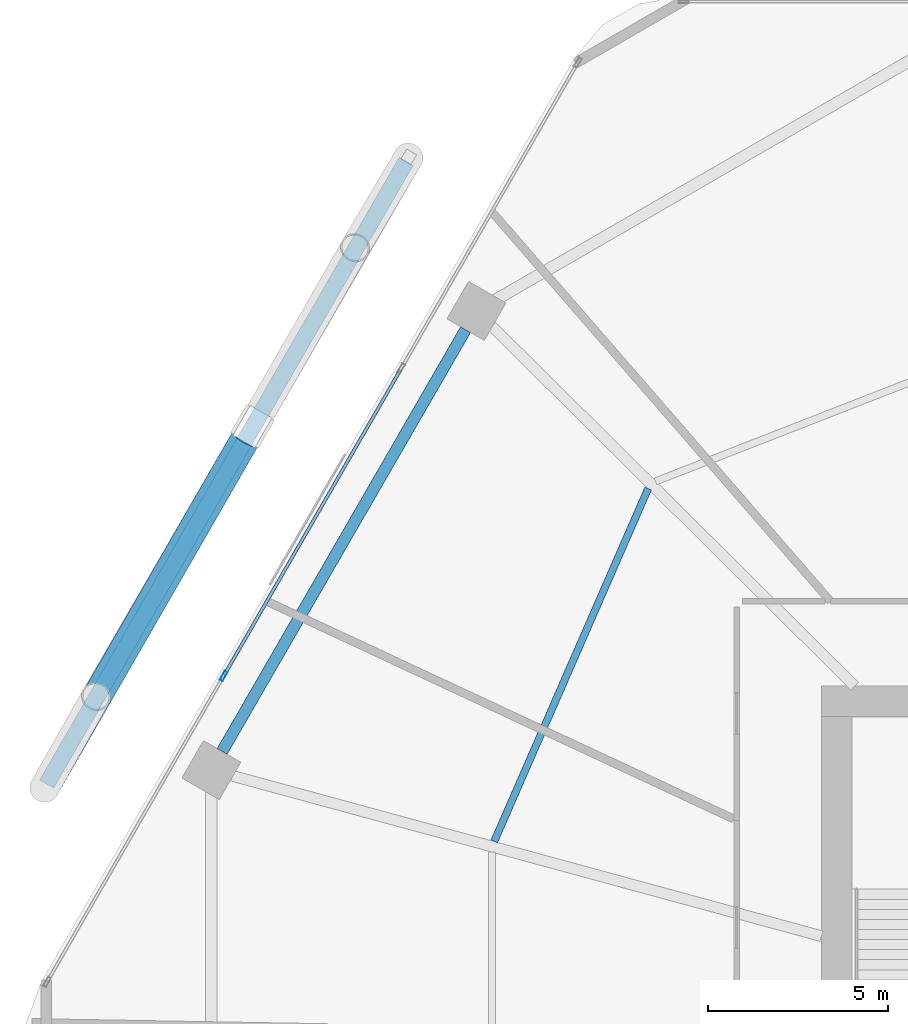
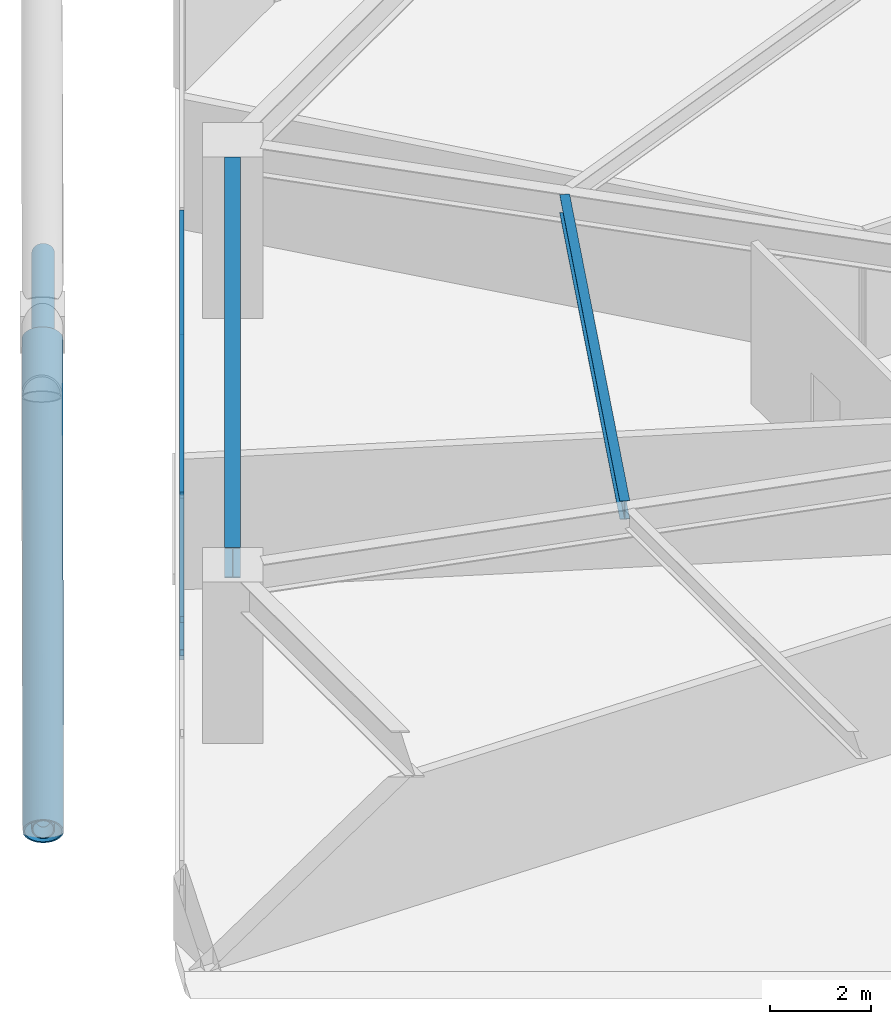
# One storey, part 14 of 31: 6 members, 2 beams, 1 element without a shape of its own.
"""IFC4 building model written with IfcOpenShell, lengths in metres."""

from ifc_helpers import new_model, si_unit, direction, frame, origin, origin_2d, place, context, subcontext, project, spatial, hollow_rectangle, hollow_circle, i_section, extrude, material, material_profile, profile_set, type_object, element, aggregate, save


model = new_model("IFC4")

# Units and contexts
model_context = context("Model", 3, precision=1e-05, world=origin(), true_north=direction((0.0, 1.0)))
body_context = subcontext(model_context, "Body", "Model", "MODEL_VIEW")
ifc_project = project(units=[si_unit("LENGTHUNIT", "METRE"), si_unit("AREAUNIT", "SQUARE_METRE"), si_unit("VOLUMEUNIT", "CUBIC_METRE"), si_unit("PLANEANGLEUNIT", "RADIAN"), si_unit("MASSUNIT", "GRAM", prefix="KILO")], contexts=[model_context])

# Site, building, storey
site_placement = place(None, origin())
site = spatial("IfcSite", under=ifc_project, at=site_placement, CompositionType="ELEMENT")
building_placement = place(site_placement, origin())
building = spatial("IfcBuilding", under=site, at=building_placement, Name="Zuhravey Tower", CompositionType="ELEMENT")
storey_placement = place(building_placement, frame((0.0, 0.0, 7.800048828125)))
storey = spatial("IfcBuildingStorey", under=building, at=storey_placement, Name="L02", CompositionType="ELEMENT", Elevation=7.800048828125)

# Curtain wall, members
ifc_material_1 = material(Name="Thermally broken anodised aluminium", Category="aluminium")
curtain_wall_type = type_object("IfcCurtainWallType", Name="School Low-E Unitised Curtain Wall CW1", PredefinedType="NOTDEFINED", material=ifc_material_1)
curtain_wall_placement = place(storey_placement, origin())
curtain_wall = element("IfcCurtainWall", 1, at=curtain_wall_placement, inside=storey, type_object=curtain_wall_type, Name="L02 CW1 CW-L02-F3-1", PredefinedType="NOTDEFINED")
ifc_material_2 = material(Name="Anodised aluminium", Category="aluminium")
ifc_material_profile_1 = material_profile(ifc_material_2, hollow_rectangle(XDim=0.090087890625, YDim=0.284912109375, WallThickness=0.0048828125, at=origin_2d()), Name="ALU-RHS-90x285x5")
ifc_profile_set_1 = profile_set([ifc_material_profile_1], Name="Anodised aluminium")
member_type_1 = type_object("IfcMemberType", Name="Curtain-Wall Mullion 90x180", PredefinedType="MULLION", material=ifc_profile_set_1)
member_1_placement = place(storey_placement, frame((8.45458984375, 42.20703125, 0.0), z_axis=(0.0, 0.0, 1.0), x_axis=(-0.86602552265, 0.499999794119, 0.0)))
member_1 = element("IfcMember", 2, at=member_1_placement, type_object=member_type_1, Name="CW1 mullion 2", PredefinedType="MULLION", context=body_context, shape_type="SweptSolid", body=[
    extrude(hollow_rectangle(XDim=0.090087890625, YDim=0.284912109375, WallThickness=0.0048828125, at=origin_2d()), origin(), (0.0, 0.0, 1.0), 3.919921875),
])
ifc_material_profile_2 = material_profile(ifc_material_2, hollow_rectangle(XDim=0.090087890625, YDim=0.14990234375, WallThickness=0.0048828125, at=origin_2d()), Name="ALU-RHS-90x150x5")
ifc_profile_set_2 = profile_set([ifc_material_profile_2], Name="Anodised aluminium")
member_type_2 = type_object("IfcMemberType", Name="Curtain-Wall Transom 90x150", PredefinedType="USERDEFINED", material=ifc_profile_set_2)
member_2_placement = place(storey_placement, frame((8.47705078125, 42.245849609375, 0.044921875), z_axis=(0.499990498062, 0.866030889661, 0.0), x_axis=(-0.866030889661, 0.499990498062, 0.0)))
member_2 = element("IfcMember", 3, at=member_2_placement, type_object=member_type_2, Name="CW1 transom 2.1", ObjectType="TRANSOM", PredefinedType="USERDEFINED", context=body_context, shape_type="SweptSolid", body=[
    extrude(hollow_rectangle(XDim=0.090087890625, YDim=0.14990234375, WallThickness=0.0048828125, at=origin_2d()), origin(), (0.0, 0.0, 1.0), 9.776611328125),
])
member_3_placement = place(storey_placement, frame((8.47705078125, 42.245849609375, 0.849853515625), z_axis=(0.499990498062, 0.866030889661, 0.0), x_axis=(-0.866030889661, 0.499990498062, 0.0)))
member_3 = element("IfcMember", 4, at=member_3_placement, type_object=member_type_2, Name="CW1 transom 2.2", ObjectType="TRANSOM", PredefinedType="USERDEFINED", context=body_context, shape_type="SweptSolid", body=[
    extrude(hollow_rectangle(XDim=0.090087890625, YDim=0.14990234375, WallThickness=0.0048828125, at=origin_2d()), origin(), (0.0, 0.0, 1.0), 9.776611328125),
])
member_4_placement = place(storey_placement, frame((8.47705078125, 42.245849609375, 3.875), z_axis=(0.499990498062, 0.866030889661, 0.0), x_axis=(-0.866030889661, 0.499990498062, 0.0)))
member_4 = element("IfcMember", 5, at=member_4_placement, type_object=member_type_2, Name="CW1 transom 2.3", ObjectType="TRANSOM", PredefinedType="USERDEFINED", context=body_context, shape_type="SweptSolid", body=[
    extrude(hollow_rectangle(XDim=0.090087890625, YDim=0.14990234375, WallThickness=0.0048828125, at=origin_2d()), origin(), (0.0, 0.0, 1.0), 9.776611328125),
])
aggregate(curtain_wall, [member_1, member_2, member_3, member_4])

# Members
ifc_material_3 = material(Name="Steel SM355", Category="steel")
ifc_material_profile_3 = material_profile(ifc_material_3, hollow_circle(Radius=0.228515625, WallThickness=0.02197265625, at=origin_2d()), Name="CHS-457.2x22")
ifc_profile_set_3 = profile_set([ifc_material_profile_3], Name="Steel SM355")
member_type_3 = type_object("IfcMemberType", Name="Exoskeleton Ring Tie CHS457x22", PredefinedType="CHORD", material=ifc_profile_set_3)
member_5_placement = place(storey_placement, frame((13.529296875, 56.516845703125, -0.6640625), z_axis=(-0.499987058157, -0.866032875632, 0.0), x_axis=(0.866032875632, -0.499987058157, 0.0)))
element("IfcMember", 6, at=member_5_placement, inside=storey, type_object=member_type_3, Name="L02 Exoskeleton Face 3 Tie EXR1", PredefinedType="CHORD", context=body_context, shape_type="SweptSolid", body=[
    extrude(hollow_circle(Radius=0.228515625, WallThickness=0.02197265625, at=origin_2d()), origin(), (0.0, 0.0, 1.0), 19.99365234375),
])
ifc_material_4 = material(Name="Steel SM460", Category="steel")
ifc_material_profile_4 = material_profile(ifc_material_4, hollow_circle(Radius=0.406494140625, WallThickness=0.035888671875, at=origin_2d()), Name="CHS-812.8x36")
ifc_profile_set_4 = profile_set([ifc_material_profile_4], Name="Steel SM460")
member_type_4 = type_object("IfcMemberType", Name="Exoskeleton Zone 1 Diagrid CHS813x36", PredefinedType="BRACE", material=ifc_profile_set_4)
member_6_placement = place(storey_placement, frame((3.48583984375, 39.120849609375, -0.64697265625), z_axis=(0.468001280878, 0.813051164675, 0.346298433027), x_axis=(-0.866677342768, 0.498869104609, 0.0)))
element("IfcMember", 7, at=member_6_placement, inside=storey, type_object=member_type_4, Name="L02 Face 3 Split Diagrid Brace 3A", PredefinedType="BRACE", context=body_context, shape_type="SweptSolid", body=[
    extrude(hollow_circle(Radius=0.406494140625, WallThickness=0.035888671875, at=origin_2d()), origin(), (0.0, 0.0, 1.0), 11.927978515625),
])

# Beams
ifc_material_profile_5 = material_profile(ifc_material_3, i_section(OverallWidth=0.320068359375, OverallDepth=0.75, WebThickness=0.013916015625, FlangeThickness=0.02490234375, at=origin_2d()), Name="H-750x320x14x25")
ifc_profile_set_5 = profile_set([ifc_material_profile_5], Name="Steel SM355")
beam_type_1 = type_object("IfcBeamType", Name="Perimeter Ring Beam H750x320", PredefinedType="BEAM", material=ifc_profile_set_5)
beam_1_placement = place(storey_placement, frame((15.179443359375, 51.834716796875, 3.544921875), z_axis=(-0.499999877243, -0.866025474658, 0.0), x_axis=(0.866025474658, -0.499999877243, 0.0)))
element("IfcBeam", 8, at=beam_1_placement, inside=storey, type_object=beam_type_1, Name="L02 PB1 BM-L02-PB-05", PredefinedType="BEAM", context=body_context, shape_type="SweptSolid", body=[
    extrude(i_section(OverallWidth=0.320068359375, OverallDepth=0.75, WebThickness=0.013916015625, FlangeThickness=0.02490234375, at=origin_2d()), origin(), (0.0, 0.0, 1.0), 13.5341796875),
])
ifc_material_profile_6 = material_profile(ifc_material_3, i_section(OverallWidth=0.199951171875, OverallDepth=0.449951171875, WebThickness=0.009033203125, FlangeThickness=0.013916015625, at=origin_2d()), Name="H-450x200x9x14")
ifc_profile_set_6 = profile_set([ifc_material_profile_6], Name="Steel SM355")
beam_type_2 = type_object("IfcBeamType", Name="Secondary Floor Joist H450x200", PredefinedType="JOIST", material=ifc_profile_set_6)
beam_2_placement = place(storey_placement, frame((20.2548828125, 47.41845703125, 3.695068359375), z_axis=(-0.399923551578, -0.916548500022, 0.0), x_axis=(0.916548500022, -0.399923551578, 0.0)))
element("IfcBeam", 9, at=beam_2_placement, inside=storey, type_object=beam_type_2, Name="L02 SJ1 BM-L02-SJ-05-1", PredefinedType="JOIST", context=body_context, shape_type="SweptSolid", body=[
    extrude(i_section(OverallWidth=0.199951171875, OverallDepth=0.449951171875, WebThickness=0.009033203125, FlangeThickness=0.013916015625, at=origin_2d()), origin(), (0.0, 0.0, 1.0), 10.70263671875),
])

save(model, "model.ifc")
